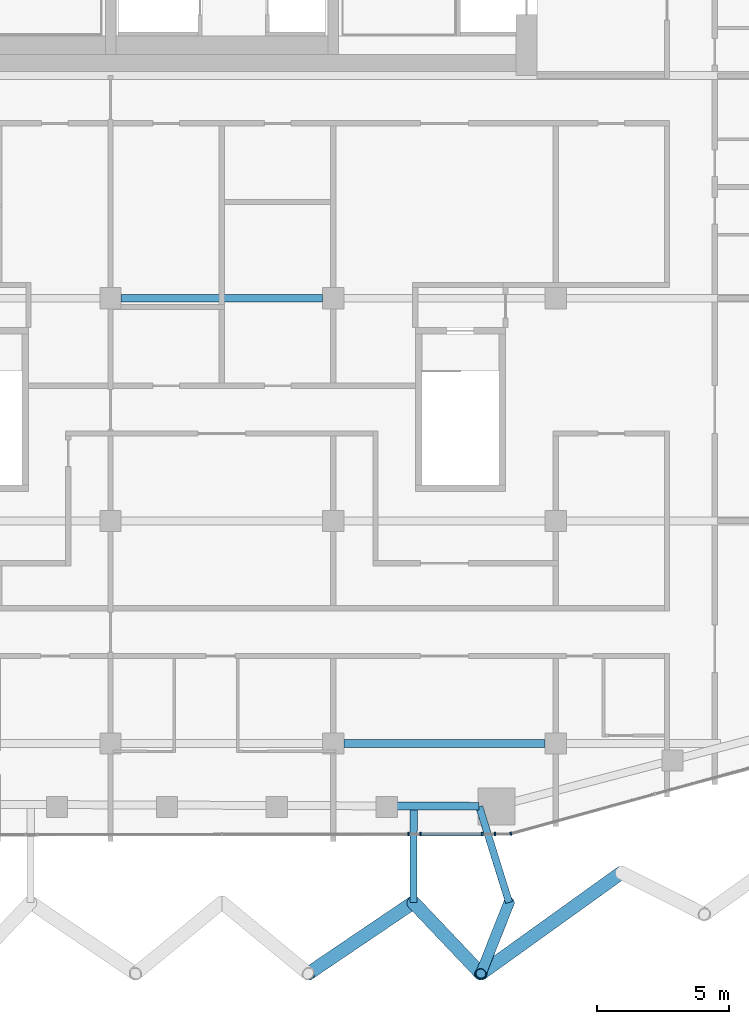
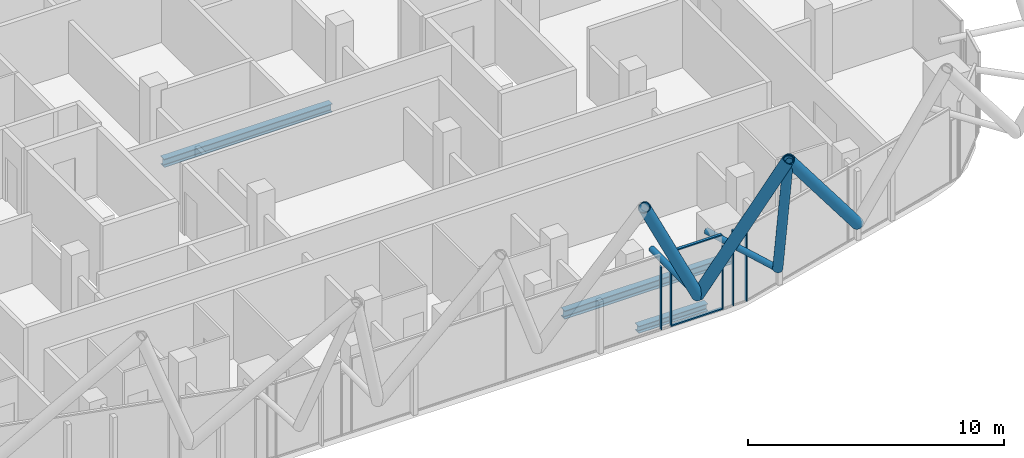
# One storey, part 5 of 33: 13 members, 3 beams, 5 elements without a shape of their own.
"""IFC4 building model written with IfcOpenShell, lengths in metres."""

from ifc_helpers import new_model, si_unit, direction, frame, origin, origin_2d, place, context, subcontext, project, spatial, rectangle, hollow_circle, i_section, extrude, material, layer, layer_set, material_profile, profile_set, type_object, element, aggregate, save


model = new_model("IFC4")

# Units and contexts
model_context = context("Model", 3, precision=1e-05, world=origin(), true_north=direction((0.0, 1.0)))
body_context = subcontext(model_context, "Body", "Model", "MODEL_VIEW")
ifc_project = project(units=[si_unit("LENGTHUNIT", "METRE"), si_unit("AREAUNIT", "SQUARE_METRE"), si_unit("VOLUMEUNIT", "CUBIC_METRE"), si_unit("PLANEANGLEUNIT", "RADIAN"), si_unit("MASSUNIT", "GRAM", prefix="KILO")], contexts=[model_context])

# Site, building, storey
site_placement = place(None, origin())
site = spatial("IfcSite", under=ifc_project, at=site_placement, CompositionType="ELEMENT")
building_placement = place(site_placement, origin())
building = spatial("IfcBuilding", under=site, at=building_placement, Name="Marenta Gate Hotel Tower", CompositionType="ELEMENT")
storey_placement = place(building_placement, frame((0.0, 0.0, 248.89990234375)))
storey = spatial("IfcBuildingStorey", under=building, at=storey_placement, Name="L59", CompositionType="ELEMENT", Elevation=248.89990234375)

# Members
ifc_material_1 = material(Name="Steel S355J2W", Category="steel")
ifc_material_profile_1 = material_profile(ifc_material_1, hollow_circle(Radius=0.203125, WallThickness=0.02490234375, at=origin_2d()), Name="CHS 406.4x25")
ifc_profile_set_1 = profile_set([ifc_material_profile_1], Name="Steel S355J2W")
member_type_1 = type_object("IfcMemberType", Name="Diagrid corner post Z3 CHS 406.4x25", PredefinedType="POST", material=ifc_profile_set_1)
member_1_placement = place(storey_placement, frame((10.839111328125, -31.199951171875, 3.14013671875), z_axis=(-0.137305110059, -0.346110841263, 0.92809190941), x_axis=(0.929527961275, -0.36875163621, 0.0)))
element("IfcMember", 1, at=member_1_placement, inside=storey, type_object=member_type_1, Name="L59-DR-3", PredefinedType="POST", context=body_context, shape_type="SweptSolid", body=[
    extrude(hollow_circle(Radius=0.203125, WallThickness=0.02490234375, at=origin_2d()), origin(), (0.0, 0.0, 1.0), 7.7578125),
])
ifc_material_2 = material(Name="Steel S355J2W", Category="steel")
ifc_material_profile_2 = material_profile(ifc_material_2, hollow_circle(Radius=0.25390625, WallThickness=0.0400390625, at=origin_2d()), Name="CHS 508x40")
ifc_profile_set_2 = profile_set([ifc_material_profile_2], Name="Steel S355J2W")
member_type_2 = type_object("IfcMemberType", Name="Diagrid diagonal T3 CHS 508x40", PredefinedType="BRACE", material=ifc_profile_set_2)
member_2_placement = place(storey_placement, frame((15.079345703125, -30.074951171875, 3.14013671875), z_axis=(-0.545753113279, -0.391929643635, 0.740638031555), x_axis=(0.583311759267, -0.812248355801, 0.0)))
element("IfcMember", 2, at=member_2_placement, inside=storey, type_object=member_type_2, Name="L59-DG-14", PredefinedType="BRACE", context=body_context, shape_type="SweptSolid", body=[
    extrude(hollow_circle(Radius=0.25390625, WallThickness=0.0400390625, at=origin_2d()), origin(), (0.0, 0.0, 1.0), 9.72119140625),
])
member_3_placement = place(storey_placement, frame((7.22607421875, -31.199951171875, 3.14013671875), z_axis=(0.314716585897, -0.331664719403, 0.889354813595), x_axis=(0.725397829228, 0.688329855049, 0.0)))
element("IfcMember", 3, at=member_3_placement, inside=storey, type_object=member_type_2, Name="L59-DG-15", PredefinedType="BRACE", context=body_context, shape_type="SweptSolid", body=[
    extrude(hollow_circle(Radius=0.25390625, WallThickness=0.0400390625, at=origin_2d()), origin(), (0.0, 0.0, 1.0), 8.095703125),
])
member_4_placement = place(storey_placement, frame((7.22607421875, -31.199951171875, 3.14013671875), z_axis=(-0.458817746261, -0.310470533032, 0.832522866854), x_axis=(0.560425550296, -0.828204807143, 0.0)))
element("IfcMember", 4, at=member_4_placement, inside=storey, type_object=member_type_2, Name="L59-DG-16", PredefinedType="BRACE", context=body_context, shape_type="SweptSolid", body=[
    extrude(hollow_circle(Radius=0.25390625, WallThickness=0.0400390625, at=origin_2d()), origin(), (0.0, 0.0, 1.0), 8.6484375),
])

# Beam
ifc_material_3 = material(Name="Steel S355", Category="steel")
ifc_material_profile_3 = material_profile(ifc_material_3, i_section(OverallWidth=0.300048828125, OverallDepth=0.340087890625, WebThickness=0.011962890625, FlangeThickness=0.021484375, FilletRadius=0.027099609375, at=origin_2d()), Name="HEB 340")
ifc_profile_set_3 = profile_set([ifc_material_profile_3], Name="Steel S355")
beam_type_1 = type_object("IfcBeamType", Name="Edge beam HEB 340", PredefinedType="SPANDREL", material=ifc_profile_set_3)
beam_1_placement = place(storey_placement, frame((9.706298828125, -27.570068359375, -0.429931640625), z_axis=(-0.999992678531, 0.003826602206, 0.0), x_axis=(-0.003826602206, -0.999992678531, 0.0)))
element("IfcBeam", 5, at=beam_1_placement, inside=storey, type_object=beam_type_1, Name="L59-EB-32", PredefinedType="SPANDREL", context=body_context, shape_type="SweptSolid", body=[
    extrude(i_section(OverallWidth=0.300048828125, OverallDepth=0.340087890625, WebThickness=0.011962890625, FlangeThickness=0.021484375, FilletRadius=0.027099609375, at=origin_2d()), origin(), (0.0, 0.0, 1.0), 3.126220703125),
])

# Members
ifc_material_4 = material(Name="Steel S355J2W", Category="steel")
ifc_material_profile_4 = material_profile(ifc_material_4, hollow_circle(Radius=0.136474609375, WallThickness=0.012451171875, at=origin_2d()), Name="CHS 273x12.5")
ifc_profile_set_4 = profile_set([ifc_material_profile_4], Name="Steel S355J2W")
member_type_3 = type_object("IfcMemberType", Name="Floor tie CHS 273x12.5", PredefinedType="STRUT", material=ifc_profile_set_4)
member_5_placement = place(storey_placement, frame((10.839111328125, -31.199951171875, 3.14013671875), z_axis=(-0.297929893769, 0.954587753116, 0.0), x_axis=(-0.954587753116, -0.297929893769, 0.0)))
element("IfcMember", 6, at=member_5_placement, inside=storey, type_object=member_type_3, Name="L59-DR-13", PredefinedType="STRUT", context=body_context, shape_type="SweptSolid", body=[
    extrude(hollow_circle(Radius=0.136474609375, WallThickness=0.012451171875, at=origin_2d()), origin(), (0.0, 0.0, 1.0), 3.78662109375),
])
member_6_placement = place(storey_placement, frame((7.22607421875, -31.199951171875, 3.14013671875), z_axis=(0.003839648355, 0.999992628523, 0.0), x_axis=(-0.999992628523, 0.003839648355, 0.0)))
element("IfcMember", 7, at=member_6_placement, inside=storey, type_object=member_type_3, Name="L59-DR-14", PredefinedType="STRUT", context=body_context, shape_type="SweptSolid", body=[
    extrude(hollow_circle(Radius=0.136474609375, WallThickness=0.012451171875, at=origin_2d()), origin(), (0.0, 0.0, 1.0), 3.624267578125),
])

# Beams
ifc_material_5 = material(Name="Steel S355", Category="steel")
ifc_material_profile_5 = material_profile(ifc_material_5, i_section(OverallWidth=0.300048828125, OverallDepth=0.39990234375, WebThickness=0.013427734375, FlangeThickness=0.02392578125, FilletRadius=0.027099609375, at=origin_2d()), Name="HEB 400")
ifc_profile_set_5 = profile_set([ifc_material_profile_5], Name="Steel S355")
beam_type_2 = type_object("IfcBeamType", Name="Girder HEB 400", PredefinedType="BEAM", material=ifc_profile_set_5)
beam_2_placement = place(storey_placement, frame((4.60009765625, -25.199951171875, -0.4599609375), z_axis=(1.0, 0.0, 0.0), x_axis=(0.0, 1.0, 0.0)))
element("IfcBeam", 8, at=beam_2_placement, inside=storey, type_object=beam_type_2, Name="L59-GD-4", PredefinedType="BEAM", context=body_context, shape_type="SweptSolid", body=[
    extrude(i_section(OverallWidth=0.300048828125, OverallDepth=0.39990234375, WebThickness=0.013427734375, FlangeThickness=0.02392578125, FilletRadius=0.027099609375, at=origin_2d()), origin(), (0.0, 0.0, 1.0), 7.599853515625),
])
beam_3_placement = place(storey_placement, frame((-3.800048828125, -8.39990234375, -0.4599609375), z_axis=(1.0, 0.0, 0.0), x_axis=(0.0, 1.0, 0.0)))
element("IfcBeam", 9, at=beam_3_placement, inside=storey, type_object=beam_type_2, Name="L59-GD-16", PredefinedType="BEAM", context=body_context, shape_type="SweptSolid", body=[
    extrude(i_section(OverallWidth=0.300048828125, OverallDepth=0.39990234375, WebThickness=0.013427734375, FlangeThickness=0.02392578125, FilletRadius=0.027099609375, at=origin_2d()), origin(), (0.0, 0.0, 1.0), 7.60009765625),
])

# Curtain wall, member
ifc_material_6 = material(Name="Tinted insulated glass in bronze anodised frame", Category="glass")
ifc_layer = layer(ifc_material_6, 0.1201171875)
ifc_layer_set = layer_set([ifc_layer], Name="Tinted insulated glass in bronze anodised frame")
curtain_wall_type = type_object("IfcCurtainWallType", Name="Tower unitised curtain wall CW1", PredefinedType="NOTDEFINED", material=ifc_layer_set)
curtain_wall_1_placement = place(storey_placement, origin())
curtain_wall_1 = element("IfcCurtainWall", 10, at=curtain_wall_1_placement, inside=storey, type_object=curtain_wall_type, Name="CW1 run G22", PredefinedType="NOTDEFINED")
ifc_material_7 = material(Name="Bronze anodised aluminium", Category="aluminium")
ifc_material_profile_6 = material_profile(ifc_material_7, rectangle(XDim=0.1201171875, YDim=0.06005859375, at=origin_2d()), Name="Mullion CW1 60x120 bronze anodised aluminium")
ifc_profile_set_6 = profile_set([ifc_material_profile_6], Name="Bronze anodised aluminium")
member_type_4 = type_object("IfcMemberType", Name="Mullion CW1 60x120 bronze anodised aluminium", PredefinedType="MULLION", material=ifc_profile_set_6)
member_7_placement = place(storey_placement, frame((7.03955078125, -28.618896484375, 0.0), z_axis=(0.0, 0.0, 1.0), x_axis=(-0.001766001654, 0.999998440618, 0.0)))
member_7 = element("IfcMember", 11, at=member_7_placement, type_object=member_type_4, Name="CW1 mullion 1", PredefinedType="MULLION", context=body_context, shape_type="SweptSolid", body=[
    extrude(rectangle(XDim=0.1201171875, YDim=0.06005859375, at=origin_2d()), origin(), (0.0, 0.0, 1.0), 3.00048828125),
])
aggregate(curtain_wall_1, [member_7])

curtain_wall_2_placement = place(storey_placement, origin())
curtain_wall_2 = element("IfcCurtainWall", 12, at=curtain_wall_2_placement, inside=storey, type_object=curtain_wall_type, Name="CW1 run G23", PredefinedType="NOTDEFINED")
member_8_placement = place(storey_placement, frame((7.492431640625, -28.6181640625, 0.0), z_axis=(0.0, 0.0, 1.0), x_axis=(-0.001629220957, 0.999998672819, 0.0)))
member_8 = element("IfcMember", 13, at=member_8_placement, type_object=member_type_4, Name="CW1 mullion 1", PredefinedType="MULLION", context=body_context, shape_type="SweptSolid", body=[
    extrude(rectangle(XDim=0.1201171875, YDim=0.06005859375, at=origin_2d()), origin(), (0.0, 0.0, 1.0), 3.60009765625),
])

curtain_wall_3_placement = place(storey_placement, origin())
curtain_wall_3 = element("IfcCurtainWall", 14, at=curtain_wall_3_placement, inside=storey, type_object=curtain_wall_type, Name="CW1 run G24", PredefinedType="NOTDEFINED")
member_9_placement = place(storey_placement, frame((9.824951171875, -28.6142578125, 0.0), z_axis=(0.0, 0.0, 1.0), x_axis=(-0.001686693784, 0.999998577531, 0.0)))
member_9 = element("IfcMember", 15, at=member_9_placement, type_object=member_type_4, Name="CW1 mullion 1", PredefinedType="MULLION", context=body_context, shape_type="SweptSolid", body=[
    extrude(rectangle(XDim=0.1201171875, YDim=0.06005859375, at=origin_2d()), origin(), (0.0, 0.0, 1.0), 3.00048828125),
])
aggregate(curtain_wall_3, [member_9])

curtain_wall_4_placement = place(storey_placement, origin())
curtain_wall_4 = element("IfcCurtainWall", 16, at=curtain_wall_4_placement, inside=storey, type_object=curtain_wall_type, Name="CW1 run G25", PredefinedType="NOTDEFINED")
member_10_placement = place(storey_placement, frame((10.29931640625, -28.613525390625, 0.0), z_axis=(0.0, 0.0, 1.0), x_axis=(-0.001654257461, 0.999998631715, 0.0)))
member_10 = element("IfcMember", 17, at=member_10_placement, type_object=member_type_4, Name="CW1 mullion 1", PredefinedType="MULLION", context=body_context, shape_type="SweptSolid", body=[
    extrude(rectangle(XDim=0.1201171875, YDim=0.06005859375, at=origin_2d()), origin(), (0.0, 0.0, 1.0), 3.60009765625),
])
aggregate(curtain_wall_4, [member_10])

curtain_wall_5_placement = place(storey_placement, origin())
curtain_wall_5 = element("IfcCurtainWall", 18, at=curtain_wall_5_placement, inside=storey, type_object=curtain_wall_type, Name="CW1 run G26", PredefinedType="NOTDEFINED")
member_11_placement = place(storey_placement, frame((10.902587890625, -28.6044921875, 0.0), z_axis=(0.0, 0.0, 1.0), x_axis=(-0.265291600671, 0.964168225266, 0.0)))
member_11 = element("IfcMember", 19, at=member_11_placement, type_object=member_type_4, Name="CW1 mullion 1", PredefinedType="MULLION", context=body_context, shape_type="SweptSolid", body=[
    extrude(rectangle(XDim=0.1201171875, YDim=0.06005859375, at=origin_2d()), origin(), (0.0, 0.0, 1.0), 3.60009765625),
])
aggregate(curtain_wall_5, [member_11])

# Member
ifc_material_8 = material(Name="Bronze anodised aluminium", Category="aluminium")
ifc_material_profile_7 = material_profile(ifc_material_8, rectangle(XDim=0.1201171875, YDim=0.06005859375, at=origin_2d()), Name="Transom CW1 60x120 bronze anodised aluminium")
ifc_profile_set_7 = profile_set([ifc_material_profile_7], Name="Bronze anodised aluminium")
member_type_5 = type_object("IfcMemberType", Name="Transom CW1 60x120 bronze anodised aluminium", PredefinedType="USERDEFINED", material=ifc_profile_set_7)
member_12_placement = place(storey_placement, frame((7.5224609375, -28.617919921875, 0.030029296875), z_axis=(0.999998701509, 0.001611514882, 0.0), x_axis=(-0.001611514882, 0.999998701509, 0.0)))
member_12 = element("IfcMember", 20, at=member_12_placement, type_object=member_type_5, Name="CW1 transom 1.1", ObjectType="TRANSOM", PredefinedType="USERDEFINED", context=body_context, shape_type="SweptSolid", body=[
    extrude(rectangle(XDim=0.1201171875, YDim=0.06005859375, at=origin_2d()), origin(), (0.0, 0.0, 1.0), 2.2724609375),
])

member_13_placement = place(storey_placement, frame((7.5224609375, -28.617919921875, 3.570068359375), z_axis=(0.999998701509, 0.001611514882, 0.0), x_axis=(-0.001611514882, 0.999998701509, 0.0)))
member_13 = element("IfcMember", 21, at=member_13_placement, type_object=member_type_5, Name="CW1 transom 1.2", ObjectType="TRANSOM", PredefinedType="USERDEFINED", context=body_context, shape_type="SweptSolid", body=[
    extrude(rectangle(XDim=0.1201171875, YDim=0.06005859375, at=origin_2d()), origin(), (0.0, 0.0, 1.0), 2.2724609375),
])

aggregate(curtain_wall_2, [member_8, member_12, member_13])

save(model, "model.ifc")
